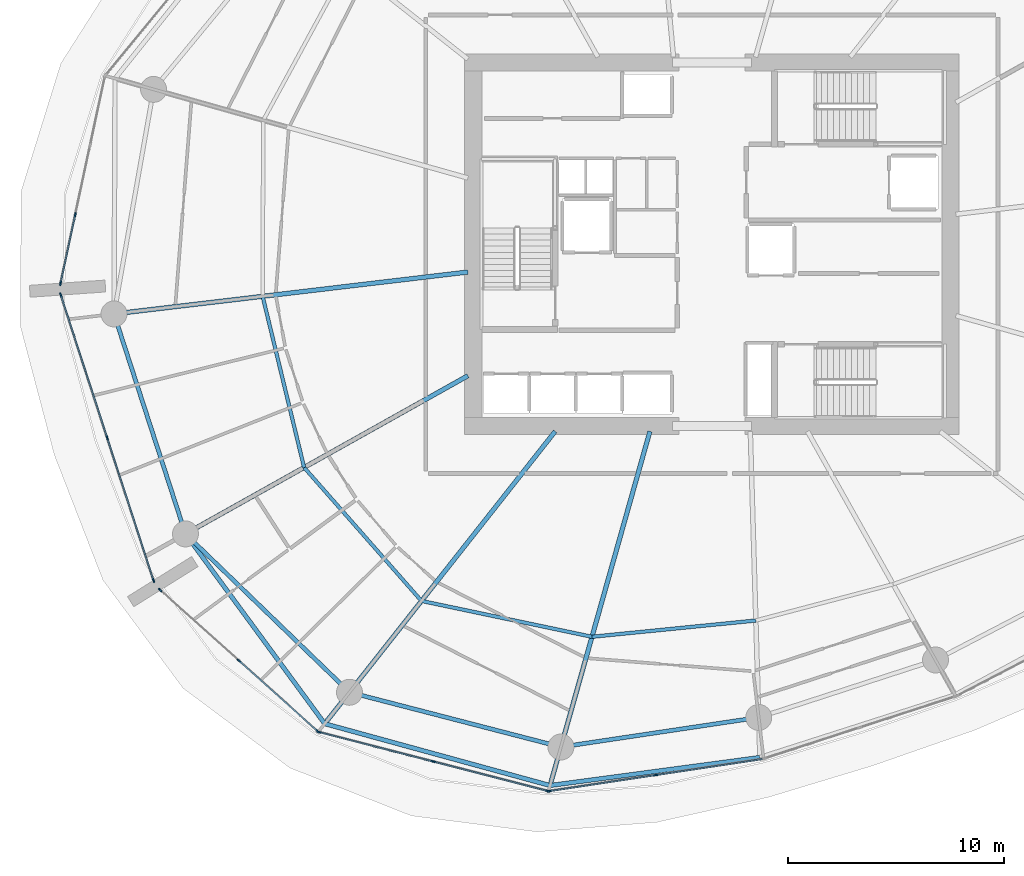
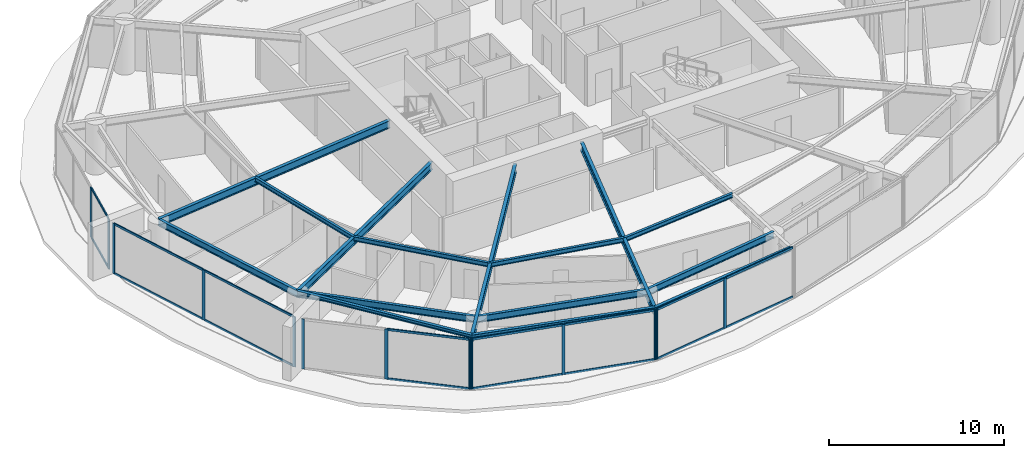
# One storey, part 5 of 17: 29 members, 15 beams, 5 elements without a shape of their own.
"""IFC4 building model written with IfcOpenShell, lengths in metres."""

from ifc_helpers import new_model, si_unit, direction, frame, origin, origin_2d, place, context, subcontext, project, spatial, rectangle, i_section, extrude, material, layer, layer_set, material_profile, profile_set, type_object, element, aggregate, save


model = new_model("IFC4")

# Units and contexts
model_context = context("Model", 3, precision=1e-05, world=origin(), true_north=direction((0.0, 1.0)))
body_context = subcontext(model_context, "Body", "Model", "MODEL_VIEW")
ifc_project = project(units=[si_unit("LENGTHUNIT", "METRE"), si_unit("AREAUNIT", "SQUARE_METRE"), si_unit("VOLUMEUNIT", "CUBIC_METRE"), si_unit("PLANEANGLEUNIT", "RADIAN"), si_unit("MASSUNIT", "GRAM", prefix="KILO")], contexts=[model_context])

# Site, building, storey
site_placement = place(None, origin())
site = spatial("IfcSite", under=ifc_project, at=site_placement, CompositionType="ELEMENT")
building_placement = place(site_placement, origin())
building = spatial("IfcBuilding", under=site, at=building_placement, Name="Kazma Halo Residences", CompositionType="ELEMENT")
storey_placement = place(building_placement, frame((0.0, 0.0, 75.14990234375)))
storey = spatial("IfcBuildingStorey", under=building, at=storey_placement, Name="L18", CompositionType="ELEMENT", Elevation=75.14990234375)

# Beams
ifc_material_1 = material(Name="Steel S355", Category="steel")
ifc_material_profile_1 = material_profile(ifc_material_1, i_section(OverallWidth=0.201904296875, OverallDepth=0.2470703125, WebThickness=0.00732421875, FlangeThickness=0.010986328125, FilletRadius=0.011962890625, at=origin_2d()), Name="W250x49.1")
ifc_profile_set_1 = profile_set([ifc_material_profile_1], Name="Steel S355")
beam_type_1 = type_object("IfcBeamType", Name="BM-BAL-CANT", PredefinedType="BEAM", material=ifc_profile_set_1)
beam_1_placement = place(storey_placement, frame((24.0966796875, 28.613525390625, 3.376708984375), z_axis=(0.59144927253, -0.806342209005, 0.0), x_axis=(0.806342209005, 0.59144927253, 0.0)))
element("IfcBeam", 1, at=beam_1_placement, inside=storey, type_object=beam_type_1, Name="L18 wave-balcony lead tie beam 09", PredefinedType="BEAM", context=body_context, shape_type="SweptSolid", body=[
    extrude(i_section(OverallWidth=0.201904296875, OverallDepth=0.2470703125, WebThickness=0.00732421875, FlangeThickness=0.010986328125, FilletRadius=0.011962890625, at=origin_2d()), origin(), (0.0, 0.0, 1.0), 10.87939453125),
])
beam_2_placement = place(storey_placement, frame((30.53125, 19.841064453125, 3.376708984375), z_axis=(0.964396617, -0.264460139, 0.0), x_axis=(0.264460139, 0.964396617, 0.0)))
element("IfcBeam", 2, at=beam_2_placement, inside=storey, type_object=beam_type_1, Name="L18 wave-balcony tie beam 10", PredefinedType="BEAM", context=body_context, shape_type="SweptSolid", body=[
    extrude(i_section(OverallWidth=0.201904296875, OverallDepth=0.2470703125, WebThickness=0.00732421875, FlangeThickness=0.010986328125, FilletRadius=0.011962890625, at=origin_2d()), origin(), (0.0, 0.0, 1.0), 10.79833984375),
])
beam_3_placement = place(storey_placement, frame((40.945068359375, 16.9853515625, 3.376708984375), z_axis=(0.991182511795, 0.13250369169, 0.0), x_axis=(-0.13250369169, 0.991182511795, 0.0)))
element("IfcBeam", 3, at=beam_3_placement, inside=storey, type_object=beam_type_1, Name="L18 wave-balcony tie beam 11", PredefinedType="BEAM", context=body_context, shape_type="SweptSolid", body=[
    extrude(i_section(OverallWidth=0.201904296875, OverallDepth=0.2470703125, WebThickness=0.00732421875, FlangeThickness=0.010986328125, FilletRadius=0.011962890625, at=origin_2d()), origin(), (0.0, 0.0, 1.0), 9.78369140625),
])
ifc_material_profile_2 = material_profile(ifc_material_1, i_section(OverallWidth=0.208984375, OverallDepth=0.532958984375, WebThickness=0.01025390625, FlangeThickness=0.015625, FilletRadius=0.01611328125, at=origin_2d()), Name="W530x92")
ifc_profile_set_2 = profile_set([ifc_material_profile_2], Name="Steel S355")
beam_type_2 = type_object("IfcBeamType", Name="BM-RAD-W530", PredefinedType="BEAM", material=ifc_profile_set_2)
beam_4_placement = place(storey_placement, frame((37.14990234375, 40.7158203125, 3.233642578125), z_axis=(-0.99306759037, -0.117544718963, 0.0), x_axis=(0.117544718963, -0.99306759037, 0.0)))
element("IfcBeam", 4, at=beam_4_placement, inside=storey, type_object=beam_type_2, Name="L18 radial floor beam 08", PredefinedType="BEAM", context=body_context, shape_type="SweptSolid", body=[
    extrude(i_section(OverallWidth=0.208984375, OverallDepth=0.532958984375, WebThickness=0.01025390625, FlangeThickness=0.015625, FilletRadius=0.01611328125, at=origin_2d()), origin(), (0.0, 0.0, 1.0), 16.470703125),
])
beam_5_placement = place(storey_placement, frame((37.14990234375, 35.923583984375, 3.233642578125), z_axis=(-0.87249878074, -0.488616288724, 0.0), x_axis=(0.488616288724, -0.87249878074, 0.0)))
element("IfcBeam", 5, at=beam_5_placement, inside=storey, type_object=beam_type_2, Name="L18 radial floor beam 09", PredefinedType="BEAM", context=body_context, shape_type="SweptSolid", body=[
    extrude(i_section(OverallWidth=0.208984375, OverallDepth=0.532958984375, WebThickness=0.01025390625, FlangeThickness=0.015625, FilletRadius=0.01611328125, at=origin_2d()), origin(), (0.0, 0.0, 1.0), 14.960693359375),
])
beam_6_placement = place(storey_placement, frame((41.180908203125, 33.35009765625, 3.233642578125), z_axis=(-0.619093774822, -0.785317068436, 0.0), x_axis=(0.785317068436, -0.619093774822, 0.0)))
element("IfcBeam", 6, at=beam_6_placement, inside=storey, type_object=beam_type_2, Name="L18 radial floor beam 10", PredefinedType="BEAM", context=body_context, shape_type="SweptSolid", body=[
    extrude(i_section(OverallWidth=0.208984375, OverallDepth=0.532958984375, WebThickness=0.01025390625, FlangeThickness=0.015625, FilletRadius=0.01611328125, at=origin_2d()), origin(), (0.0, 0.0, 1.0), 17.201904296875),
])
beam_7_placement = place(storey_placement, frame((45.560302734375, 33.35009765625, 3.233642578125), z_axis=(-0.271434928076, -0.962456793742, 0.0), x_axis=(0.962456793742, -0.271434928076, 0.0)))
element("IfcBeam", 7, at=beam_7_placement, inside=storey, type_object=beam_type_2, Name="L18 radial floor beam 11", PredefinedType="BEAM", context=body_context, shape_type="SweptSolid", body=[
    extrude(i_section(OverallWidth=0.208984375, OverallDepth=0.532958984375, WebThickness=0.01025390625, FlangeThickness=0.015625, FilletRadius=0.01611328125, at=origin_2d()), origin(), (0.0, 0.0, 1.0), 17.003173828125),
])
ifc_material_profile_3 = material_profile(ifc_material_1, i_section(OverallWidth=0.1650390625, OverallDepth=0.31005859375, WebThickness=0.005859375, FlangeThickness=0.009765625, FilletRadius=0.011962890625, at=origin_2d()), Name="W310x38.7")
ifc_profile_set_3 = profile_set([ifc_material_profile_3], Name="Steel S355")
beam_type_3 = type_object("IfcBeamType", Name="BM-SEC-W310B", PredefinedType="JOIST", material=ifc_profile_set_3)
beam_8_placement = place(storey_placement, frame((27.6630859375, 39.593017578125, 3.34521484375), z_axis=(0.235442033286, -0.971888393264, 0.0), x_axis=(0.971888393264, 0.235442033286, 0.0)))
element("IfcBeam", 8, at=beam_8_placement, inside=storey, type_object=beam_type_3, Name="L18 circumferential floor joist 08", PredefinedType="JOIST", context=body_context, shape_type="SweptSolid", body=[
    extrude(i_section(OverallWidth=0.1650390625, OverallDepth=0.31005859375, WebThickness=0.005859375, FlangeThickness=0.009765625, FilletRadius=0.011962890625, at=origin_2d()), origin(), (0.0, 0.0, 1.0), 8.137939453125),
])
beam_9_placement = place(storey_placement, frame((29.5791015625, 31.683837890625, 3.34521484375), z_axis=(0.660379309564, -0.750932199003, 0.0), x_axis=(0.750932199003, 0.660379309564, 0.0)))
element("IfcBeam", 9, at=beam_9_placement, inside=storey, type_object=beam_type_3, Name="L18 circumferential floor joist 09", PredefinedType="JOIST", context=body_context, shape_type="SweptSolid", body=[
    extrude(i_section(OverallWidth=0.1650390625, OverallDepth=0.31005859375, WebThickness=0.005859375, FlangeThickness=0.009765625, FilletRadius=0.011962890625, at=origin_2d()), origin(), (0.0, 0.0, 1.0), 8.215087890625),
])
beam_10_placement = place(storey_placement, frame((35.004150390625, 25.514892578125, 3.34521484375), z_axis=(0.978607976751, -0.205733876255, 0.0), x_axis=(0.205733876255, 0.978607976751, 0.0)))
element("IfcBeam", 10, at=beam_10_placement, inside=storey, type_object=beam_type_3, Name="L18 circumferential floor joist 10", PredefinedType="JOIST", context=body_context, shape_type="SweptSolid", body=[
    extrude(i_section(OverallWidth=0.1650390625, OverallDepth=0.31005859375, WebThickness=0.005859375, FlangeThickness=0.009765625, FilletRadius=0.011962890625, at=origin_2d()), origin(), (0.0, 0.0, 1.0), 8.051513671875),
])
beam_11_placement = place(storey_placement, frame((42.883544921875, 23.8583984375, 3.34521484375), z_axis=(0.995106821048, 0.098804932586, 0.0), x_axis=(-0.098804932586, 0.995106821048, 0.0)))
element("IfcBeam", 11, at=beam_11_placement, inside=storey, type_object=beam_type_3, Name="L18 circumferential floor joist 11", PredefinedType="JOIST", context=body_context, shape_type="SweptSolid", body=[
    extrude(i_section(OverallWidth=0.1650390625, OverallDepth=0.31005859375, WebThickness=0.005859375, FlangeThickness=0.009765625, FilletRadius=0.011962890625, at=origin_2d()), origin(), (0.0, 0.0, 1.0), 7.610595703125),
])
ifc_material_profile_4 = material_profile(ifc_material_1, i_section(OverallWidth=0.18994140625, OverallDepth=0.45703125, WebThickness=0.009033203125, FlangeThickness=0.014404296875, FilletRadius=0.01611328125, at=origin_2d()), Name="W460x74")
ifc_profile_set_4 = profile_set([ifc_material_profile_4], Name="Steel S355")
beam_type_4 = type_object("IfcBeamType", Name="BM-SPN-W460", PredefinedType="BEAM", material=ifc_profile_set_4)
beam_12_placement = place(storey_placement, frame((20.79345703125, 38.77978515625, 3.271484375), z_axis=(0.309017385422, -0.951056389236, 0.0), x_axis=(0.951056389236, 0.309017385422, 0.0)))
element("IfcBeam", 12, at=beam_12_placement, inside=storey, type_object=beam_type_4, Name="L18 perimeter ring beam 08", PredefinedType="BEAM", context=body_context, shape_type="SweptSolid", body=[
    extrude(i_section(OverallWidth=0.18994140625, OverallDepth=0.45703125, WebThickness=0.009033203125, FlangeThickness=0.014404296875, FilletRadius=0.01611328125, at=origin_2d()), origin(), (0.0, 0.0, 1.0), 10.689453125),
])
beam_13_placement = place(storey_placement, frame((24.0966796875, 28.613525390625, 3.271484375), z_axis=(0.719336783114, -0.694661494873, 0.0), x_axis=(0.694661494873, 0.719336783114, 0.0)))
element("IfcBeam", 13, at=beam_13_placement, inside=storey, type_object=beam_type_4, Name="L18 perimeter ring beam 09", PredefinedType="BEAM", context=body_context, shape_type="SweptSolid", body=[
    extrude(i_section(OverallWidth=0.18994140625, OverallDepth=0.45703125, WebThickness=0.009033203125, FlangeThickness=0.014404296875, FilletRadius=0.01611328125, at=origin_2d()), origin(), (0.0, 0.0, 1.0), 10.537353515625),
])
beam_14_placement = place(storey_placement, frame((31.676513671875, 21.293701171875, 3.271484375), z_axis=(0.968124968683, -0.250467652626, 0.0), x_axis=(0.250467652626, 0.968124968683, 0.0)))
element("IfcBeam", 14, at=beam_14_placement, inside=storey, type_object=beam_type_4, Name="L18 perimeter ring beam 10", PredefinedType="BEAM", context=body_context, shape_type="SweptSolid", body=[
    extrude(i_section(OverallWidth=0.18994140625, OverallDepth=0.45703125, WebThickness=0.009033203125, FlangeThickness=0.014404296875, FilletRadius=0.01611328125, at=origin_2d()), origin(), (0.0, 0.0, 1.0), 10.092529296875),
])
beam_15_placement = place(storey_placement, frame((41.447265625, 18.765869140625, 3.271484375), z_axis=(0.989034176303, 0.147686824414, 0.0), x_axis=(-0.147686824414, 0.989034176303, 0.0)))
element("IfcBeam", 15, at=beam_15_placement, inside=storey, type_object=beam_type_4, Name="L18 perimeter ring beam 11", PredefinedType="BEAM", context=body_context, shape_type="SweptSolid", body=[
    extrude(i_section(OverallWidth=0.18994140625, OverallDepth=0.45703125, WebThickness=0.009033203125, FlangeThickness=0.014404296875, FilletRadius=0.01611328125, at=origin_2d()), origin(), (0.0, 0.0, 1.0), 9.242431640625),
])

# Curtain wall, members
ifc_material_2 = material(Name="Aluminium AW-6063 T6 and Triple-Silver Low-E Glass", Category="aluminium")
ifc_layer = layer(ifc_material_2, 0.199951171875)
ifc_layer_set = layer_set([ifc_layer], Name="Aluminium AW-6063 T6 and Triple-Silver Low-E Glass")
curtain_wall_type = type_object("IfcCurtainWallType", Name="CW-SYS-3", PredefinedType="NOTDEFINED", material=ifc_layer_set)
curtain_wall_1_placement = place(storey_placement, origin())
curtain_wall_1 = element("IfcCurtainWall", 16, at=curtain_wall_1_placement, inside=storey, type_object=curtain_wall_type, Name="L18 unitised curtain wall B07", PredefinedType="NOTDEFINED")
ifc_material_3 = material(Name="Aluminium AW-6063 T6", Category="aluminium")
ifc_material_profile_5 = material_profile(ifc_material_3, rectangle(XDim=0.070068359375, YDim=0.199951171875, at=origin_2d()), Name="CWM-70x200")
ifc_profile_set_5 = profile_set([ifc_material_profile_5], Name="Aluminium AW-6063 T6")
member_type_1 = type_object("IfcMemberType", Name="CW-SYS-3-MUL", PredefinedType="MULLION", material=ifc_profile_set_5)
member_1_placement = place(storey_placement, frame((19.004638671875, 43.36865234375, 0.0), z_axis=(0.0, 0.0, 1.0), x_axis=(0.977774176093, -0.209660822677, 0.0)))
member_1 = element("IfcMember", 17, at=member_1_placement, type_object=member_type_1, Name="CWS-3 mullion 3", PredefinedType="MULLION", context=body_context, shape_type="SweptSolid", body=[
    extrude(rectangle(XDim=0.070068359375, YDim=0.199951171875, at=origin_2d()), origin(), (0.0, 0.0, 1.0), 3.5),
])
member_2_placement = place(storey_placement, frame((18.323486328125, 40.192626953125, 0.0), z_axis=(0.0, 0.0, 1.0), x_axis=(0.977774176093, -0.209660822677, 0.0)))
member_2 = element("IfcMember", 18, at=member_2_placement, type_object=member_type_1, Name="CWS-3 mullion 4", PredefinedType="MULLION", context=body_context, shape_type="SweptSolid", body=[
    extrude(rectangle(XDim=0.070068359375, YDim=0.199951171875, at=origin_2d()), origin(), (0.0, 0.0, 1.0), 3.5),
])

curtain_wall_2_placement = place(storey_placement, origin())
curtain_wall_2 = element("IfcCurtainWall", 19, at=curtain_wall_2_placement, inside=storey, type_object=curtain_wall_type, Name="L18 unitised curtain wall B08", PredefinedType="NOTDEFINED")
member_3_placement = place(storey_placement, frame((18.334716796875, 39.6572265625, 0.0), z_axis=(0.0, 0.0, 1.0), x_axis=(0.951057722508, 0.309013282008, 0.0)))
member_3 = element("IfcMember", 20, at=member_3_placement, type_object=member_type_1, Name="CWS-3 mullion 1", PredefinedType="MULLION", context=body_context, shape_type="SweptSolid", body=[
    extrude(rectangle(XDim=0.070068359375, YDim=0.199951171875, at=origin_2d()), origin(), (0.0, 0.0, 1.0), 3.5),
])
member_4_placement = place(storey_placement, frame((20.47900390625, 33.057861328125, 0.0), z_axis=(0.0, 0.0, 1.0), x_axis=(0.951057722508, 0.309013282008, 0.0)))
member_4 = element("IfcMember", 21, at=member_4_placement, type_object=member_type_1, Name="CWS-3 mullion 2", PredefinedType="MULLION", context=body_context, shape_type="SweptSolid", body=[
    extrude(rectangle(XDim=0.070068359375, YDim=0.199951171875, at=origin_2d()), origin(), (0.0, 0.0, 1.0), 3.5),
])
member_5_placement = place(storey_placement, frame((22.623291015625, 26.45849609375, 0.0), z_axis=(0.0, 0.0, 1.0), x_axis=(0.951057722508, 0.309013282008, 0.0)))
member_5 = element("IfcMember", 22, at=member_5_placement, type_object=member_type_1, Name="CWS-3 mullion 3", PredefinedType="MULLION", context=body_context, shape_type="SweptSolid", body=[
    extrude(rectangle(XDim=0.070068359375, YDim=0.199951171875, at=origin_2d()), origin(), (0.0, 0.0, 1.0), 3.5),
])

curtain_wall_3_placement = place(storey_placement, origin())
curtain_wall_3 = element("IfcCurtainWall", 23, at=curtain_wall_3_placement, inside=storey, type_object=curtain_wall_type, Name="L18 unitised curtain wall B09", PredefinedType="NOTDEFINED")
member_6_placement = place(storey_placement, frame((22.928955078125, 26.018798828125, 0.0), z_axis=(0.0, 0.0, 1.0), x_axis=(0.667794957375, 0.744345279359, 0.0)))
member_6 = element("IfcMember", 24, at=member_6_placement, type_object=member_type_1, Name="CWS-3 mullion 1", PredefinedType="MULLION", context=body_context, shape_type="SweptSolid", body=[
    extrude(rectangle(XDim=0.070068359375, YDim=0.199951171875, at=origin_2d()), origin(), (0.0, 0.0, 1.0), 3.5),
])
member_7_placement = place(storey_placement, frame((26.568603515625, 22.75341796875, 0.0), z_axis=(0.0, 0.0, 1.0), x_axis=(0.667794957375, 0.744345279359, 0.0)))
member_7 = element("IfcMember", 25, at=member_7_placement, type_object=member_type_1, Name="CWS-3 mullion 2", PredefinedType="MULLION", context=body_context, shape_type="SweptSolid", body=[
    extrude(rectangle(XDim=0.070068359375, YDim=0.199951171875, at=origin_2d()), origin(), (0.0, 0.0, 1.0), 3.5),
])
member_8_placement = place(storey_placement, frame((30.208251953125, 19.48779296875, 0.0), z_axis=(0.0, 0.0, 1.0), x_axis=(0.667794957375, 0.744345279359, 0.0)))
member_8 = element("IfcMember", 26, at=member_8_placement, type_object=member_type_1, Name="CWS-3 mullion 3", PredefinedType="MULLION", context=body_context, shape_type="SweptSolid", body=[
    extrude(rectangle(XDim=0.070068359375, YDim=0.199951171875, at=origin_2d()), origin(), (0.0, 0.0, 1.0), 3.5),
])

curtain_wall_4_placement = place(storey_placement, origin())
curtain_wall_4 = element("IfcCurtainWall", 27, at=curtain_wall_4_placement, inside=storey, type_object=curtain_wall_type, Name="L18 unitised curtain wall B10", PredefinedType="NOTDEFINED")
member_9_placement = place(storey_placement, frame((30.268310546875, 19.455810546875, 0.0), z_axis=(0.0, 0.0, 1.0), x_axis=(0.249572384355, 0.968356145727, 0.0)))
member_9 = element("IfcMember", 28, at=member_9_placement, type_object=member_type_1, Name="CWS-3 mullion 1", PredefinedType="MULLION", context=body_context, shape_type="SweptSolid", body=[
    extrude(rectangle(XDim=0.070068359375, YDim=0.199951171875, at=origin_2d()), origin(), (0.0, 0.0, 1.0), 3.5),
])
member_10_placement = place(storey_placement, frame((35.552734375, 18.09375, 0.0), z_axis=(0.0, 0.0, 1.0), x_axis=(0.249572384355, 0.968356145727, 0.0)))
member_10 = element("IfcMember", 29, at=member_10_placement, type_object=member_type_1, Name="CWS-3 mullion 2", PredefinedType="MULLION", context=body_context, shape_type="SweptSolid", body=[
    extrude(rectangle(XDim=0.070068359375, YDim=0.199951171875, at=origin_2d()), origin(), (0.0, 0.0, 1.0), 3.5),
])
member_11_placement = place(storey_placement, frame((40.83740234375, 16.73193359375, 0.0), z_axis=(0.0, 0.0, 1.0), x_axis=(0.249572384355, 0.968356145727, 0.0)))
member_11 = element("IfcMember", 30, at=member_11_placement, type_object=member_type_1, Name="CWS-3 mullion 3", PredefinedType="MULLION", context=body_context, shape_type="SweptSolid", body=[
    extrude(rectangle(XDim=0.070068359375, YDim=0.199951171875, at=origin_2d()), origin(), (0.0, 0.0, 1.0), 3.5),
])

curtain_wall_5_placement = place(storey_placement, origin())
curtain_wall_5 = element("IfcCurtainWall", 31, at=curtain_wall_5_placement, inside=storey, type_object=curtain_wall_type, Name="L18 unitised curtain wall B11", PredefinedType="NOTDEFINED")
member_12_placement = place(storey_placement, frame((40.90576171875, 16.728271484375, 0.0), z_axis=(0.0, 0.0, 1.0), x_axis=(-0.148717330409, 0.988879747814, 0.0)))
member_12 = element("IfcMember", 32, at=member_12_placement, type_object=member_type_1, Name="CWS-3 mullion 1", PredefinedType="MULLION", context=body_context, shape_type="SweptSolid", body=[
    extrude(rectangle(XDim=0.070068359375, YDim=0.199951171875, at=origin_2d()), origin(), (0.0, 0.0, 1.0), 3.5),
])
member_13_placement = place(storey_placement, frame((45.843017578125, 17.470703125, 0.0), z_axis=(0.0, 0.0, 1.0), x_axis=(-0.148717330409, 0.988879747814, 0.0)))
member_13 = element("IfcMember", 33, at=member_13_placement, type_object=member_type_1, Name="CWS-3 mullion 2", PredefinedType="MULLION", context=body_context, shape_type="SweptSolid", body=[
    extrude(rectangle(XDim=0.070068359375, YDim=0.199951171875, at=origin_2d()), origin(), (0.0, 0.0, 1.0), 3.5),
])

# Member
ifc_material_profile_6 = material_profile(ifc_material_3, rectangle(XDim=0.070068359375, YDim=0.14990234375, at=origin_2d()), Name="CWT-70x150")
ifc_profile_set_6 = profile_set([ifc_material_profile_6], Name="Aluminium AW-6063 T6")
member_type_2 = type_object("IfcMemberType", Name="CW-SYS-3-TRN", PredefinedType="USERDEFINED", material=ifc_profile_set_6)
member_14_placement = place(storey_placement, frame((18.997314453125, 43.33447265625, 0.03515625), z_axis=(-0.209717949017, -0.977761924939, 0.0), x_axis=(0.977761924939, -0.209717949017, 0.0)))
member_14 = element("IfcMember", 34, at=member_14_placement, type_object=member_type_2, Name="CWS-3 transom 3.1", ObjectType="TRANSOM", PredefinedType="USERDEFINED", context=body_context, shape_type="SweptSolid", body=[
    extrude(rectangle(XDim=0.070068359375, YDim=0.14990234375, at=origin_2d()), origin(), (0.0, 0.0, 1.0), 3.177978515625),
])

member_15_placement = place(storey_placement, frame((18.997314453125, 43.33447265625, 3.465087890625), z_axis=(-0.209717949017, -0.977761924939, 0.0), x_axis=(0.977761924939, -0.209717949017, 0.0)))
member_15 = element("IfcMember", 35, at=member_15_placement, type_object=member_type_2, Name="CWS-3 transom 3.2", ObjectType="TRANSOM", PredefinedType="USERDEFINED", context=body_context, shape_type="SweptSolid", body=[
    extrude(rectangle(XDim=0.070068359375, YDim=0.14990234375, at=origin_2d()), origin(), (0.0, 0.0, 1.0), 3.177978515625),
])

aggregate(curtain_wall_1, [member_1, member_2, member_14, member_15])

member_16_placement = place(storey_placement, frame((18.345458984375, 39.6240234375, 0.03515625), z_axis=(0.309000079699, -0.95106201204, 0.0), x_axis=(0.95106201204, 0.309000079699, 0.0)))
member_16 = element("IfcMember", 36, at=member_16_placement, type_object=member_type_2, Name="CWS-3 transom 1.1", ObjectType="TRANSOM", PredefinedType="USERDEFINED", context=body_context, shape_type="SweptSolid", body=[
    extrude(rectangle(XDim=0.070068359375, YDim=0.14990234375, at=origin_2d()), origin(), (0.0, 0.0, 1.0), 6.869140625),
])

member_17_placement = place(storey_placement, frame((18.345458984375, 39.6240234375, 3.465087890625), z_axis=(0.309000079699, -0.95106201204, 0.0), x_axis=(0.95106201204, 0.309000079699, 0.0)))
member_17 = element("IfcMember", 37, at=member_17_placement, type_object=member_type_2, Name="CWS-3 transom 1.2", ObjectType="TRANSOM", PredefinedType="USERDEFINED", context=body_context, shape_type="SweptSolid", body=[
    extrude(rectangle(XDim=0.070068359375, YDim=0.14990234375, at=origin_2d()), origin(), (0.0, 0.0, 1.0), 6.869140625),
])

member_18_placement = place(storey_placement, frame((20.48974609375, 33.024658203125, 0.03515625), z_axis=(0.309000079699, -0.95106201204, 0.0), x_axis=(0.95106201204, 0.309000079699, 0.0)))
member_18 = element("IfcMember", 38, at=member_18_placement, type_object=member_type_2, Name="CWS-3 transom 2.1", ObjectType="TRANSOM", PredefinedType="USERDEFINED", context=body_context, shape_type="SweptSolid", body=[
    extrude(rectangle(XDim=0.070068359375, YDim=0.14990234375, at=origin_2d()), origin(), (0.0, 0.0, 1.0), 6.869140625),
])

member_19_placement = place(storey_placement, frame((20.48974609375, 33.024658203125, 3.465087890625), z_axis=(0.309000079699, -0.95106201204, 0.0), x_axis=(0.95106201204, 0.309000079699, 0.0)))
member_19 = element("IfcMember", 39, at=member_19_placement, type_object=member_type_2, Name="CWS-3 transom 2.2", ObjectType="TRANSOM", PredefinedType="USERDEFINED", context=body_context, shape_type="SweptSolid", body=[
    extrude(rectangle(XDim=0.070068359375, YDim=0.14990234375, at=origin_2d()), origin(), (0.0, 0.0, 1.0), 6.869140625),
])

aggregate(curtain_wall_2, [member_3, member_4, member_5, member_16, member_17, member_18, member_19])

member_20_placement = place(storey_placement, frame((26.5947265625, 22.72998046875, 0.03515625), z_axis=(0.744338471453, -0.667802545603, 0.0), x_axis=(0.667802545603, 0.744338471453, 0.0)))
member_20 = element("IfcMember", 40, at=member_20_placement, type_object=member_type_2, Name="CWS-3 transom 2.1", ObjectType="TRANSOM", PredefinedType="USERDEFINED", context=body_context, shape_type="SweptSolid", body=[
    extrude(rectangle(XDim=0.070068359375, YDim=0.14990234375, at=origin_2d()), origin(), (0.0, 0.0, 1.0), 4.81982421875),
])

member_21_placement = place(storey_placement, frame((26.5947265625, 22.72998046875, 3.465087890625), z_axis=(0.744338471453, -0.667802545603, 0.0), x_axis=(0.667802545603, 0.744338471453, 0.0)))
member_21 = element("IfcMember", 41, at=member_21_placement, type_object=member_type_2, Name="CWS-3 transom 2.2", ObjectType="TRANSOM", PredefinedType="USERDEFINED", context=body_context, shape_type="SweptSolid", body=[
    extrude(rectangle(XDim=0.070068359375, YDim=0.14990234375, at=origin_2d()), origin(), (0.0, 0.0, 1.0), 4.81982421875),
])

aggregate(curtain_wall_3, [member_6, member_7, member_8, member_20, member_21])

member_22_placement = place(storey_placement, frame((30.30224609375, 19.447021484375, 0.03515625), z_axis=(0.968354741404, -0.24957783315, 0.0), x_axis=(0.24957783315, 0.968354741404, 0.0)))
member_22 = element("IfcMember", 42, at=member_22_placement, type_object=member_type_2, Name="CWS-3 transom 1.1", ObjectType="TRANSOM", PredefinedType="USERDEFINED", context=body_context, shape_type="SweptSolid", body=[
    extrude(rectangle(XDim=0.070068359375, YDim=0.14990234375, at=origin_2d()), origin(), (0.0, 0.0, 1.0), 5.386962890625),
])

member_23_placement = place(storey_placement, frame((30.30224609375, 19.447021484375, 3.465087890625), z_axis=(0.968354741404, -0.24957783315, 0.0), x_axis=(0.24957783315, 0.968354741404, 0.0)))
member_23 = element("IfcMember", 43, at=member_23_placement, type_object=member_type_2, Name="CWS-3 transom 1.2", ObjectType="TRANSOM", PredefinedType="USERDEFINED", context=body_context, shape_type="SweptSolid", body=[
    extrude(rectangle(XDim=0.070068359375, YDim=0.14990234375, at=origin_2d()), origin(), (0.0, 0.0, 1.0), 5.386962890625),
])

member_24_placement = place(storey_placement, frame((35.586669921875, 18.0849609375, 0.03515625), z_axis=(0.968357564167, -0.249566880656, 0.0), x_axis=(0.249566880656, 0.968357564167, 0.0)))
member_24 = element("IfcMember", 44, at=member_24_placement, type_object=member_type_2, Name="CWS-3 transom 2.1", ObjectType="TRANSOM", PredefinedType="USERDEFINED", context=body_context, shape_type="SweptSolid", body=[
    extrude(rectangle(XDim=0.070068359375, YDim=0.14990234375, at=origin_2d()), origin(), (0.0, 0.0, 1.0), 5.38720703125),
])

member_25_placement = place(storey_placement, frame((35.586669921875, 18.0849609375, 3.465087890625), z_axis=(0.968357564167, -0.249566880656, 0.0), x_axis=(0.249566880656, 0.968357564167, 0.0)))
member_25 = element("IfcMember", 45, at=member_25_placement, type_object=member_type_2, Name="CWS-3 transom 2.2", ObjectType="TRANSOM", PredefinedType="USERDEFINED", context=body_context, shape_type="SweptSolid", body=[
    extrude(rectangle(XDim=0.070068359375, YDim=0.14990234375, at=origin_2d()), origin(), (0.0, 0.0, 1.0), 5.38720703125),
])

aggregate(curtain_wall_4, [member_9, member_10, member_11, member_22, member_23, member_24, member_25])

member_26_placement = place(storey_placement, frame((40.9404296875, 16.7333984375, 0.03515625), z_axis=(0.988876977991, 0.148735746878, 0.0), x_axis=(-0.148735746878, 0.988876977991, 0.0)))
member_26 = element("IfcMember", 46, at=member_26_placement, type_object=member_type_2, Name="CWS-3 transom 1.1", ObjectType="TRANSOM", PredefinedType="USERDEFINED", context=body_context, shape_type="SweptSolid", body=[
    extrude(rectangle(XDim=0.070068359375, YDim=0.14990234375, at=origin_2d()), origin(), (0.0, 0.0, 1.0), 4.922607421875),
])

member_27_placement = place(storey_placement, frame((40.9404296875, 16.7333984375, 3.465087890625), z_axis=(0.988876977991, 0.148735746878, 0.0), x_axis=(-0.148735746878, 0.988876977991, 0.0)))
member_27 = element("IfcMember", 47, at=member_27_placement, type_object=member_type_2, Name="CWS-3 transom 1.2", ObjectType="TRANSOM", PredefinedType="USERDEFINED", context=body_context, shape_type="SweptSolid", body=[
    extrude(rectangle(XDim=0.070068359375, YDim=0.14990234375, at=origin_2d()), origin(), (0.0, 0.0, 1.0), 4.922607421875),
])

member_28_placement = place(storey_placement, frame((45.87744140625, 17.47607421875, 0.03515625), z_axis=(0.988884271372, 0.148687248386, 0.0), x_axis=(-0.148687248386, 0.988884271372, 0.0)))
member_28 = element("IfcMember", 48, at=member_28_placement, type_object=member_type_2, Name="CWS-3 transom 2.1", ObjectType="TRANSOM", PredefinedType="USERDEFINED", context=body_context, shape_type="SweptSolid", body=[
    extrude(rectangle(XDim=0.070068359375, YDim=0.14990234375, at=origin_2d()), origin(), (0.0, 0.0, 1.0), 4.922607421875),
])

member_29_placement = place(storey_placement, frame((45.87744140625, 17.47607421875, 3.465087890625), z_axis=(0.988884271372, 0.148687248386, 0.0), x_axis=(-0.148687248386, 0.988884271372, 0.0)))
member_29 = element("IfcMember", 49, at=member_29_placement, type_object=member_type_2, Name="CWS-3 transom 2.2", ObjectType="TRANSOM", PredefinedType="USERDEFINED", context=body_context, shape_type="SweptSolid", body=[
    extrude(rectangle(XDim=0.070068359375, YDim=0.14990234375, at=origin_2d()), origin(), (0.0, 0.0, 1.0), 4.922607421875),
])

aggregate(curtain_wall_5, [member_12, member_13, member_26, member_27, member_28, member_29])

save(model, "model.ifc")
